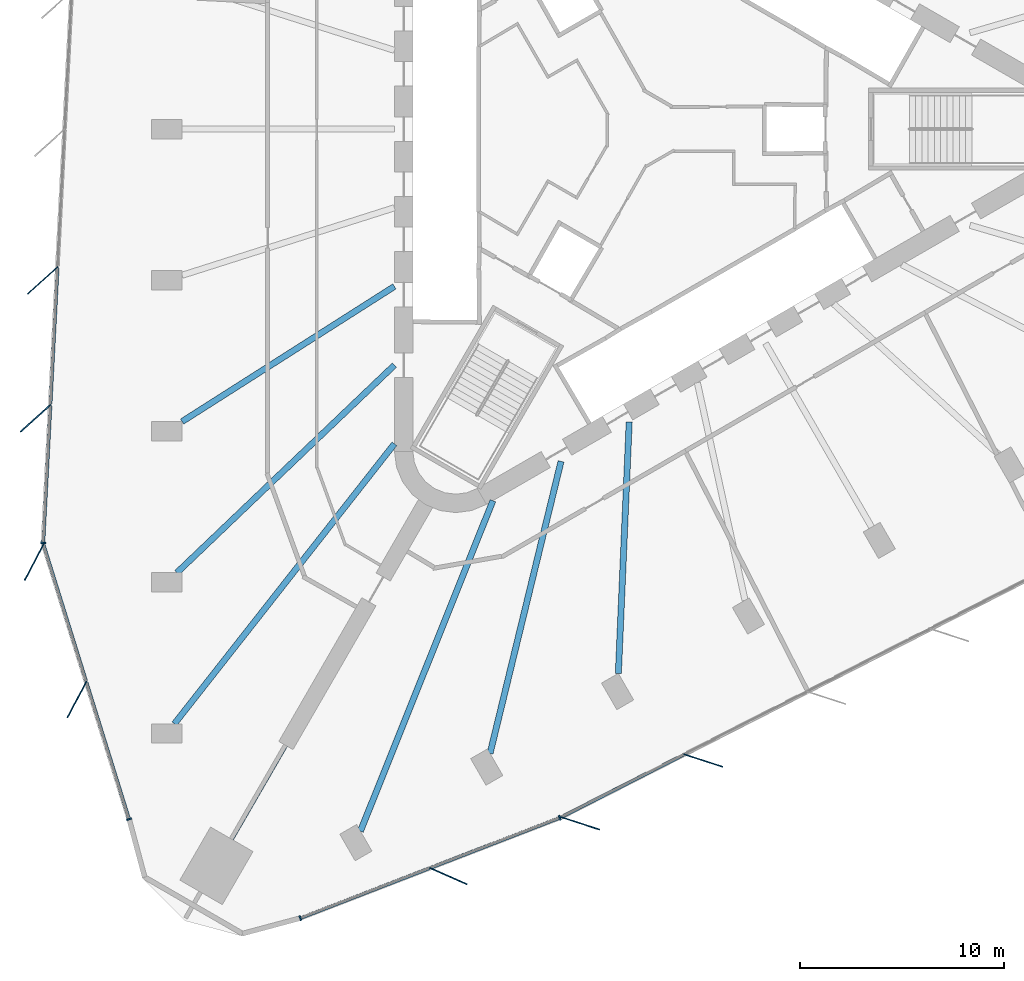
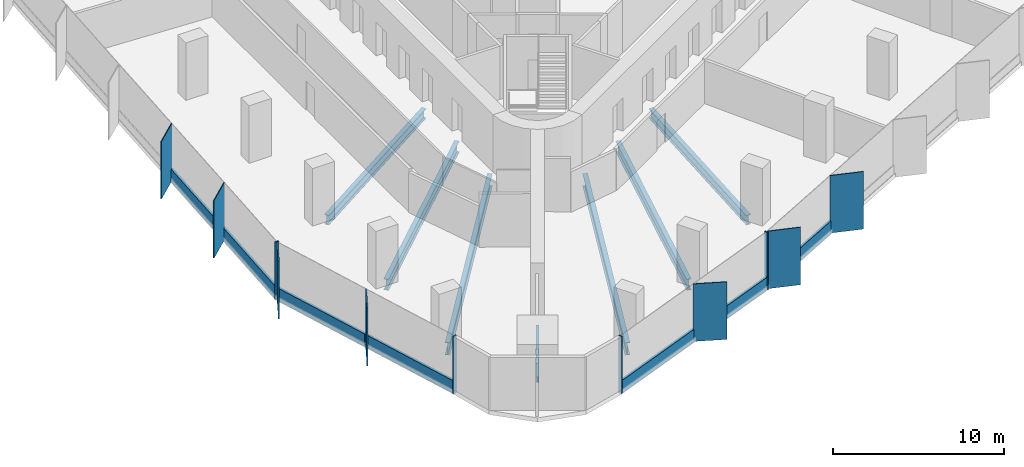
# One storey, part 2 of 14: 18 members, 7 beams, 4 elements without a shape of their own.
"""IFC4 building model written with IfcOpenShell, lengths in metres."""

from ifc_helpers import new_model, si_unit, direction, frame, origin, origin_2d, place, context, subcontext, project, spatial, rectangle, i_section, extrude, material, material_profile, profile_set, type_object, element, aggregate, save


model = new_model("IFC4")

# Units and contexts
model_context = context("Model", 3, precision=1e-05, world=origin(), true_north=direction((0.0, 1.0)))
body_context = subcontext(model_context, "Body", "Model", "MODEL_VIEW")
ifc_project = project(units=[si_unit("LENGTHUNIT", "METRE"), si_unit("AREAUNIT", "SQUARE_METRE"), si_unit("VOLUMEUNIT", "CUBIC_METRE"), si_unit("PLANEANGLEUNIT", "RADIAN"), si_unit("MASSUNIT", "GRAM", prefix="KILO")], contexts=[model_context])

# Site, building, storey
site_placement = place(None, origin())
site = spatial("IfcSite", under=ifc_project, at=site_placement, CompositionType="ELEMENT")
building_placement = place(site_placement, origin())
building = spatial("IfcBuilding", under=site, at=building_placement, Name="Tanit Gate Tower", CompositionType="ELEMENT")
storey_placement = place(building_placement, frame((0.0, 0.0, 74.199951171875)))
storey = spatial("IfcBuildingStorey", under=building, at=storey_placement, Name="L14", CompositionType="ELEMENT", Elevation=74.199951171875)

# Curtain wall, members
ifc_material_1 = material(Name="Aluminium bronze anodised and glass", Category="aluminium")
curtain_wall_type = type_object("IfcCurtainWallType", Name="Curtain wall typical low", PredefinedType="NOTDEFINED", material=ifc_material_1)
curtain_wall_1_placement = place(storey_placement, origin())
curtain_wall_1 = element("IfcCurtainWall", 1, at=curtain_wall_1_placement, inside=storey, type_object=curtain_wall_type, Name="Curtain wall L14 W2", PredefinedType="NOTDEFINED")
ifc_material_2 = material(Name="Aluminium bronze anodised", Category="aluminium")
ifc_material_profile_1 = material_profile(ifc_material_2, rectangle(XDim=2.0, YDim=0.055908203125, at=origin_2d()), Name="56x2000 bronze fin mullion")
ifc_profile_set_1 = profile_set([ifc_material_profile_1], Name="Aluminium bronze anodised")
member_type_1 = type_object("IfcMemberType", Name="FIN MULLION 56x2000 bronze", PredefinedType="MULLION", material=ifc_profile_set_1)
member_1_placement = place(storey_placement, frame((-29.304443359375, -7.400390625, -0.300048828125), z_axis=(0.0, 0.0, 1.0), x_axis=(0.742829073656, 0.66948111798, 0.0)))
member_1 = element("IfcMember", 2, at=member_1_placement, type_object=member_type_1, Name="Fin mullion L14 W2.5", PredefinedType="MULLION", context=body_context, shape_type="SweptSolid", body=[
    extrude(rectangle(XDim=2.0, YDim=0.055908203125, at=origin_2d()), origin(), (0.0, 0.0, 1.0), 4.10009765625),
])
member_2_placement = place(storey_placement, frame((-29.65478515625, -14.148193359375, -0.300048828125), z_axis=(0.0, 0.0, 1.0), x_axis=(0.742829073656, 0.66948111798, 0.0)))
member_2 = element("IfcMember", 3, at=member_2_placement, type_object=member_type_1, Name="Fin mullion L14 W2.6", PredefinedType="MULLION", context=body_context, shape_type="SweptSolid", body=[
    extrude(rectangle(XDim=2.0, YDim=0.055908203125, at=origin_2d()), origin(), (0.0, 0.0, 1.0), 4.10009765625),
])

curtain_wall_2_placement = place(storey_placement, origin())
curtain_wall_2 = element("IfcCurtainWall", 4, at=curtain_wall_2_placement, inside=storey, type_object=curtain_wall_type, Name="Curtain wall L14 W3", PredefinedType="NOTDEFINED")
member_3_placement = place(storey_placement, frame((-29.7236328125, -21.184814453125, -0.300048828125), z_axis=(0.0, 0.0, 1.0), x_axis=(0.464713557167, 0.885461071863, 0.0)))
member_3 = element("IfcMember", 5, at=member_3_placement, type_object=member_type_1, Name="Fin mullion L14 W3.1", PredefinedType="MULLION", context=body_context, shape_type="SweptSolid", body=[
    extrude(rectangle(XDim=2.0, YDim=0.055908203125, at=origin_2d()), origin(), (0.0, 0.0, 1.0), 4.10009765625),
])
member_4_placement = place(storey_placement, frame((-27.630126953125, -27.903076171875, -0.300048828125), z_axis=(0.0, 0.0, 1.0), x_axis=(0.464713557167, 0.885461071863, 0.0)))
member_4 = element("IfcMember", 6, at=member_4_placement, type_object=member_type_1, Name="Fin mullion L14 W3.2", PredefinedType="MULLION", context=body_context, shape_type="SweptSolid", body=[
    extrude(rectangle(XDim=2.0, YDim=0.055908203125, at=origin_2d()), origin(), (0.0, 0.0, 1.0), 4.10009765625),
])

# Curtain wall, member
curtain_wall_3_placement = place(storey_placement, origin())
curtain_wall_3 = element("IfcCurtainWall", 7, at=curtain_wall_3_placement, inside=storey, type_object=curtain_wall_type, Name="Curtain wall L14 SE1", PredefinedType="NOTDEFINED")
member_5_placement = place(storey_placement, frame((-9.4658203125, -36.538818359375, -0.300048828125), z_axis=(0.0, 0.0, 1.0), x_axis=(-0.914560400903, 0.404449345531, 0.0)))
member_5 = element("IfcMember", 8, at=member_5_placement, type_object=member_type_1, Name="Fin mullion L14 SE1.2", PredefinedType="MULLION", context=body_context, shape_type="SweptSolid", body=[
    extrude(rectangle(XDim=2.0, YDim=0.055908203125, at=origin_2d()), origin(), (0.0, 0.0, 1.0), 4.10009765625),
])

# Curtain wall, members
curtain_wall_4_placement = place(storey_placement, origin())
curtain_wall_4 = element("IfcCurtainWall", 9, at=curtain_wall_4_placement, inside=storey, type_object=curtain_wall_type, Name="Curtain wall L14 SE2", PredefinedType="NOTDEFINED")
member_6_placement = place(storey_placement, frame((-3.013916015625, -33.959228515625, -0.300048828125), z_axis=(0.0, 0.0, 1.0), x_axis=(-0.951202192353, 0.308568289465, 0.0)))
member_6 = element("IfcMember", 10, at=member_6_placement, type_object=member_type_1, Name="Fin mullion L14 SE2.1", PredefinedType="MULLION", context=body_context, shape_type="SweptSolid", body=[
    extrude(rectangle(XDim=2.0, YDim=0.055908203125, at=origin_2d()), origin(), (0.0, 0.0, 1.0), 4.10009765625),
])
member_7_placement = place(storey_placement, frame((3.0048828125, -30.888916015625, -0.300048828125), z_axis=(0.0, 0.0, 1.0), x_axis=(-0.951202192353, 0.308568289465, 0.0)))
member_7 = element("IfcMember", 11, at=member_7_placement, type_object=member_type_1, Name="Fin mullion L14 SE2.2", PredefinedType="MULLION", context=body_context, shape_type="SweptSolid", body=[
    extrude(rectangle(XDim=2.0, YDim=0.055908203125, at=origin_2d()), origin(), (0.0, 0.0, 1.0), 4.10009765625),
])

# Member
ifc_material_3 = material(Name="Aluminium bronze anodised", Category="aluminium")
ifc_material_profile_2 = material_profile(ifc_material_3, rectangle(XDim=0.239990234375, YDim=0.080078125, at=origin_2d()), Name="80x240 bronze mullion")
ifc_profile_set_2 = profile_set([ifc_material_profile_2], Name="Aluminium bronze anodised")
member_type_2 = type_object("IfcMemberType", Name="Mullion 80x240 typical low", PredefinedType="MULLION", material=ifc_profile_set_2)
member_8_placement = place(storey_placement, frame((-29.279296875, -20.241455078125, -0.300048828125), z_axis=(0.0, 0.0, 1.0), x_axis=(0.998654113645, -0.051864836844, 0.0)))
member_8 = element("IfcMember", 12, at=member_8_placement, type_object=member_type_2, Name="Mullion L14 W2.7", PredefinedType="MULLION", context=body_context, shape_type="SweptSolid", body=[
    extrude(rectangle(XDim=0.239990234375, YDim=0.080078125, at=origin_2d()), origin(), (0.0, 0.0, 1.0), 4.10009765625),
])

member_9_placement = place(storey_placement, frame((-25.082275390625, -33.755859375, -0.300048828125), z_axis=(0.0, 0.0, 1.0), x_axis=(0.954717635973, 0.297513420809, 0.0)))
member_9 = element("IfcMember", 13, at=member_9_placement, type_object=member_type_2, Name="Mullion L14 W3.3", PredefinedType="MULLION", context=body_context, shape_type="SweptSolid", body=[
    extrude(rectangle(XDim=0.239990234375, YDim=0.080078125, at=origin_2d()), origin(), (0.0, 0.0, 1.0), 4.10009765625),
])

member_10_placement = place(storey_placement, frame((-16.70263671875, -38.596435546875, -0.300048828125), z_axis=(0.0, 0.0, 1.0), x_axis=(-0.360702986411, 0.932680736155, 0.0)))
member_10 = element("IfcMember", 14, at=member_10_placement, type_object=member_type_2, Name="Mullion L14 SE1.1", PredefinedType="MULLION", context=body_context, shape_type="SweptSolid", body=[
    extrude(rectangle(XDim=0.239990234375, YDim=0.080078125, at=origin_2d()), origin(), (0.0, 0.0, 1.0), 4.10009765625),
])

member_11_placement = place(storey_placement, frame((-4.0166015625, -33.6904296875, -0.300048828125), z_axis=(0.0, 0.0, 1.0), x_axis=(-0.360702986411, 0.932680736155, 0.0)))
member_11 = element("IfcMember", 15, at=member_11_placement, type_object=member_type_2, Name="Mullion L14 SE1.3", PredefinedType="MULLION", context=body_context, shape_type="SweptSolid", body=[
    extrude(rectangle(XDim=0.239990234375, YDim=0.080078125, at=origin_2d()), origin(), (0.0, 0.0, 1.0), 4.10009765625),
])

# Beams
ifc_material_4 = material(Name="Steel S355", Category="steel")
ifc_material_profile_3 = material_profile(ifc_material_4, i_section(OverallWidth=0.300048828125, OverallDepth=0.68994140625, WebThickness=0.014404296875, FlangeThickness=0.027099609375, FilletRadius=0.027099609375, at=origin_2d()), Name="HEA 700")
ifc_profile_set_3 = profile_set([ifc_material_profile_3], Name="Steel S355")
beam_type_1 = type_object("IfcBeamType", Name="RADIAL GIRDER HEA 700 S355", PredefinedType="BEAM", material=ifc_profile_set_3)
for number, where, z_axis, x_axis, name in (
    (16, (-22.489013671875, -14.307861328125, -0.64501953125), (0.843716193989, 0.536789515546, 0.0), (-0.536789515546, 0.843716193989, 0.0), "RADIAL GIRDER"),
    (17, (-1.146484375, -26.6298828125, -0.64501953125), (0.043013806202, 0.999074477942, 0.0), (-0.999074477942, 0.043013806202, 0.0), "RADIAL GIRDER"),
):
    element("IfcBeam", number, at=place(storey_placement, frame(where, z_axis=z_axis, x_axis=x_axis)), inside=storey, type_object=beam_type_1, Name=name, PredefinedType="BEAM", context=body_context, shape_type="SweptSolid", body=[
        extrude(i_section(OverallWidth=0.300048828125, OverallDepth=0.68994140625, WebThickness=0.014404296875, FlangeThickness=0.027099609375, FilletRadius=0.027099609375, at=origin_2d()), origin(), (0.0, 0.0, 1.0), 12.31103515625),
    ])
ifc_material_5 = material(Name="Steel S355", Category="steel")
ifc_material_profile_4 = material_profile(ifc_material_5, i_section(OverallWidth=0.300048828125, OverallDepth=0.7900390625, WebThickness=0.014892578125, FlangeThickness=0.028076171875, FilletRadius=0.030029296875, at=origin_2d()), Name="HEA 800")
ifc_profile_set_4 = profile_set([ifc_material_profile_4], Name="Steel S355")
beam_type_2 = type_object("IfcBeamType", Name="RADIAL GIRDER HEA 800 S355", PredefinedType="BEAM", material=ifc_profile_set_4)
for number, where, z_axis, x_axis, name in (
    (18, (-22.738037109375, -21.69921875, -0.695068359375), (0.723444887899, 0.690382136337, 0.0), (-0.690382136337, 0.723444887899, 0.0), "RADIAL GIRDER"),
    (19, (-7.423095703125, -30.541259765625, -0.695068359375), (0.236169367987, 0.971711906701, 0.0), (-0.971711906701, 0.236169367987, 0.0), "RADIAL GIRDER"),
):
    element("IfcBeam", number, at=place(storey_placement, frame(where, z_axis=z_axis, x_axis=x_axis)), inside=storey, type_object=beam_type_2, Name=name, PredefinedType="BEAM", context=body_context, shape_type="SweptSolid", body=[
        extrude(i_section(OverallWidth=0.300048828125, OverallDepth=0.7900390625, WebThickness=0.014892578125, FlangeThickness=0.028076171875, FilletRadius=0.030029296875, at=origin_2d()), origin(), (0.0, 0.0, 1.0), 14.701904296875),
    ])
ifc_material_6 = material(Name="Steel S355", Category="steel")
ifc_material_profile_5 = material_profile(ifc_material_6, i_section(OverallWidth=0.300048828125, OverallDepth=0.889892578125, WebThickness=0.01611328125, FlangeThickness=0.030029296875, FilletRadius=0.030029296875, at=origin_2d()), Name="HEA 900")
ifc_profile_set_5 = profile_set([ifc_material_profile_5], Name="Steel S355")
beam_type_3 = type_object("IfcBeamType", Name="RADIAL GIRDER HEA 900 S355", PredefinedType="BEAM", material=ifc_profile_set_5)
for number, where, z_axis, x_axis, name in (
    (20, (-22.8623046875, -29.0908203125, -0.744873046875), (0.617904516847, 0.786253145024, 0.0), (-0.786253145024, 0.617904516847, 0.0), "RADIAL GIRDER"),
    (21, (-13.76220703125, -34.3447265625, -0.744873046875), (0.371958649454, 0.928249300078, 0.0), (-0.928249300078, 0.371958649454, 0.0), "RADIAL GIRDER"),
):
    element("IfcBeam", number, at=place(storey_placement, frame(where, z_axis=z_axis, x_axis=x_axis)), inside=storey, type_object=beam_type_3, Name=name, PredefinedType="BEAM", context=body_context, shape_type="SweptSolid", body=[
        extrude(i_section(OverallWidth=0.300048828125, OverallDepth=0.889892578125, WebThickness=0.01611328125, FlangeThickness=0.030029296875, FilletRadius=0.030029296875, at=origin_2d()), origin(), (0.0, 0.0, 1.0), 17.4140625),
    ])
ifc_material_7 = material(Name="Steel S355", Category="steel")
ifc_material_profile_6 = material_profile(ifc_material_7, i_section(OverallWidth=0.179931640625, OverallDepth=0.39990234375, WebThickness=0.008544921875, FlangeThickness=0.013427734375, FilletRadius=0.02099609375, at=origin_2d()), Name="IPE 400")
ifc_profile_set_6 = profile_set([ifc_material_profile_6], Name="Steel S355")
beam_type_4 = type_object("IfcBeamType", Name="RADIAL GIRDER IPE 400 S355", PredefinedType="BEAM", material=ifc_profile_set_6)
beam_placement = place(storey_placement, frame((-20.05810546875, -34.741455078125, -0.5), z_axis=(0.499991120112, 0.86603053053, 0.0), x_axis=(-0.86603053053, 0.499991120112, 0.0)))
element("IfcBeam", 22, at=beam_placement, inside=storey, type_object=beam_type_4, Name="RADIAL GIRDER", PredefinedType="BEAM", context=body_context, shape_type="SweptSolid", body=[
    extrude(i_section(OverallWidth=0.179931640625, OverallDepth=0.39990234375, WebThickness=0.008544921875, FlangeThickness=0.013427734375, FilletRadius=0.02099609375, at=origin_2d()), origin(), (0.0, 0.0, 1.0), 5.29638671875),
])

# Member
ifc_material_8 = material(Name="Aluminium bronze anodised", Category="aluminium")
ifc_material_profile_7 = material_profile(ifc_material_8, rectangle(XDim=0.159912109375, YDim=0.89990234375, at=origin_2d()), Name="160x900 bronze transom")
ifc_profile_set_7 = profile_set([ifc_material_profile_7], Name="Aluminium bronze anodised")
member_type_3 = type_object("IfcMemberType", Name="Transom 160x900 typical low", PredefinedType="USERDEFINED", material=ifc_profile_set_7)
member_12_placement = place(storey_placement, frame((-28.580322265625, -6.7861328125, 0.150146484375), z_axis=(-0.051887098471, -0.998652957244, 0.0), x_axis=(0.998652957244, -0.051887098471, 0.0)))
member_12 = element("IfcMember", 23, at=member_12_placement, type_object=member_type_3, Name="Transom L14 W2.5", ObjectType="TRANSOM", PredefinedType="USERDEFINED", context=body_context, shape_type="SweptSolid", body=[
    extrude(rectangle(XDim=0.159912109375, YDim=0.89990234375, at=origin_2d()), origin(), (0.0, 0.0, 1.0), 6.6767578125),
])

member_13_placement = place(storey_placement, frame((-28.930908203125, -13.53369140625, 0.150146484375), z_axis=(-0.051850630851, -0.998654851328, 0.0), x_axis=(0.998654851328, -0.051850630851, 0.0)))
member_13 = element("IfcMember", 24, at=member_13_placement, type_object=member_type_3, Name="Transom L14 W2.6", ObjectType="TRANSOM", PredefinedType="USERDEFINED", context=body_context, shape_type="SweptSolid", body=[
    extrude(rectangle(XDim=0.159912109375, YDim=0.89990234375, at=origin_2d()), origin(), (0.0, 0.0, 1.0), 6.6767578125),
])

aggregate(curtain_wall_1, [member_1, member_2, member_8, member_12, member_13])

member_14_placement = place(storey_placement, frame((-29.257568359375, -20.357666015625, 0.150146484375), z_axis=(0.297521579242, -0.954715093568, 0.0), x_axis=(0.954715093568, 0.297521579242, 0.0)))
member_14 = element("IfcMember", 25, at=member_14_placement, type_object=member_type_3, Name="Transom L14 W3.1", ObjectType="TRANSOM", PredefinedType="USERDEFINED", context=body_context, shape_type="SweptSolid", body=[
    extrude(rectangle(XDim=0.159912109375, YDim=0.89990234375, at=origin_2d()), origin(), (0.0, 0.0, 1.0), 6.956787109375),
])

member_15_placement = place(storey_placement, frame((-27.163818359375, -27.075927734375, 0.150146484375), z_axis=(0.297489591805, -0.954725061349, 0.0), x_axis=(0.954725061349, 0.297489591805, 0.0)))
member_15 = element("IfcMember", 26, at=member_15_placement, type_object=member_type_3, Name="Transom L14 W3.2", ObjectType="TRANSOM", PredefinedType="USERDEFINED", context=body_context, shape_type="SweptSolid", body=[
    extrude(rectangle(XDim=0.159912109375, YDim=0.89990234375, at=origin_2d()), origin(), (0.0, 0.0, 1.0), 6.956787109375),
])

aggregate(curtain_wall_2, [member_3, member_4, member_9, member_14, member_15])

member_16_placement = place(storey_placement, frame((-16.665283203125, -38.58203125, 0.150146484375), z_axis=(0.932686791594, 0.360687328286, 0.0), x_axis=(-0.360687328286, 0.932686791594, 0.0)))
member_16 = element("IfcMember", 27, at=member_16_placement, type_object=member_type_3, Name="Transom L14 SE1.1", ObjectType="TRANSOM", PredefinedType="USERDEFINED", context=body_context, shape_type="SweptSolid", body=[
    extrude(rectangle(XDim=0.159912109375, YDim=0.89990234375, at=origin_2d()), origin(), (0.0, 0.0, 1.0), 6.720703125),
])

member_17_placement = place(storey_placement, frame((-10.322265625, -36.12890625, 0.150146484375), z_axis=(0.932686791594, 0.360687328286, 0.0), x_axis=(-0.360687328286, 0.932686791594, 0.0)))
member_17 = element("IfcMember", 28, at=member_17_placement, type_object=member_type_3, Name="Transom L14 SE1.2", ObjectType="TRANSOM", PredefinedType="USERDEFINED", context=body_context, shape_type="SweptSolid", body=[
    extrude(rectangle(XDim=0.159912109375, YDim=0.89990234375, at=origin_2d()), origin(), (0.0, 0.0, 1.0), 6.720703125),
])

aggregate(curtain_wall_3, [member_10, member_5, member_11, member_16, member_17])

member_18_placement = place(storey_placement, frame((-3.907958984375, -33.6396484375, 0.150146484375), z_axis=(0.890792681995, 0.454409944549, 0.0), x_axis=(-0.454409944549, 0.890792681995, 0.0)))
member_18 = element("IfcMember", 29, at=member_18_placement, type_object=member_type_3, Name="Transom L14 SE2.1", ObjectType="TRANSOM", PredefinedType="USERDEFINED", context=body_context, shape_type="SweptSolid", body=[
    extrude(rectangle(XDim=0.159912109375, YDim=0.89990234375, at=origin_2d()), origin(), (0.0, 0.0, 1.0), 6.6767578125),
])

aggregate(curtain_wall_4, [member_6, member_7, member_18])

save(model, "model.ifc")
